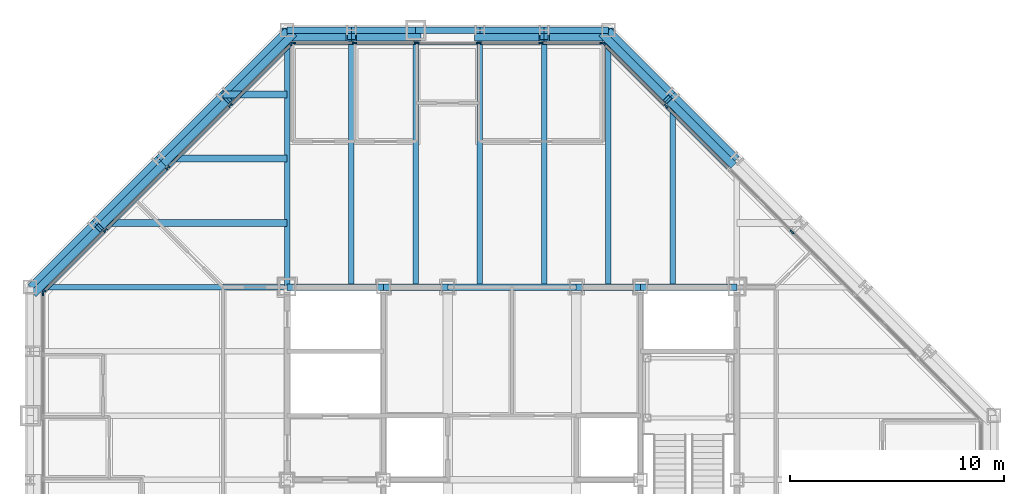
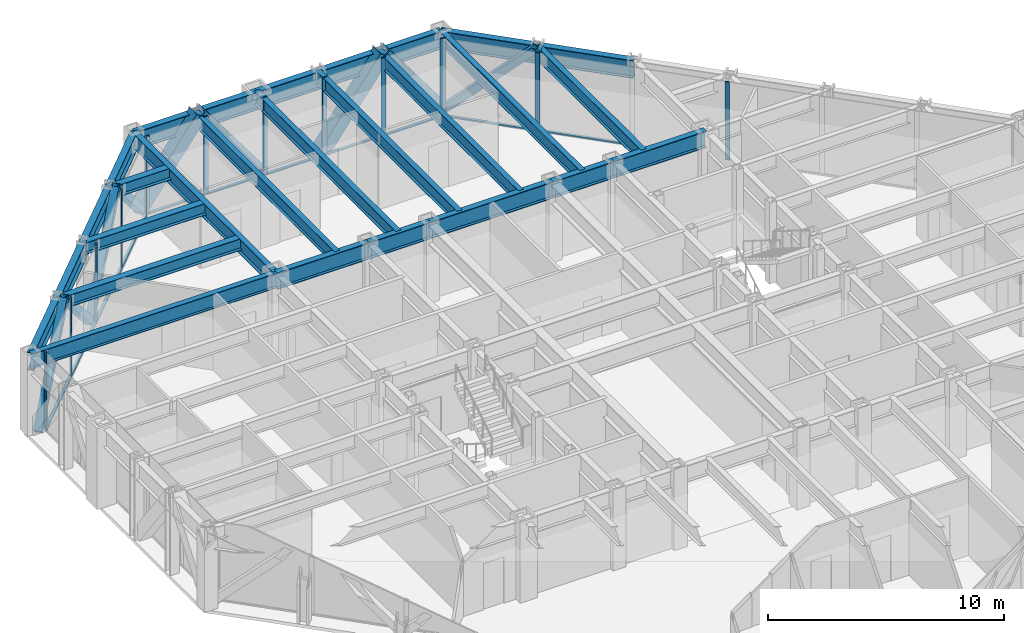
# One storey, part 7 of 15: 36 members, 27 beams, 4 elements without a shape of their own.
"""IFC4 building model written with IfcOpenShell, lengths in metres."""

from ifc_helpers import new_model, si_unit, direction, frame, origin, origin_2d, place, context, subcontext, project, spatial, rectangle, hollow_rectangle, i_section, extrude, material, layer, layer_set, material_profile, profile_set, type_object, element, aggregate, save


model = new_model("IFC4")

# Units and contexts
model_context = context("Model", 3, precision=1e-05, world=origin(), true_north=direction((0.0, 1.0)))
body_context = subcontext(model_context, "Body", "Model", "MODEL_VIEW")
ifc_project = project(units=[si_unit("LENGTHUNIT", "METRE"), si_unit("AREAUNIT", "SQUARE_METRE"), si_unit("VOLUMEUNIT", "CUBIC_METRE"), si_unit("PLANEANGLEUNIT", "RADIAN"), si_unit("MASSUNIT", "GRAM", prefix="KILO")], contexts=[model_context])

# Site, building, storey
site_placement = place(None, origin())
site = spatial("IfcSite", under=ifc_project, at=site_placement, CompositionType="ELEMENT")
building_placement = place(site_placement, origin())
building = spatial("IfcBuilding", under=site, at=building_placement, Name="Chuquiago Exchange Tower", CompositionType="ELEMENT")
storey_placement = place(building_placement, frame((0.0, 0.0, 192.89990234375)))
storey = spatial("IfcBuildingStorey", under=building, at=storey_placement, Name="L42", CompositionType="ELEMENT", Elevation=192.89990234375)

# Beams
ifc_material_1 = material(Name="Steel ASTM A992", Category="steel")
ifc_material_profile_1 = material_profile(ifc_material_1, i_section(OverallWidth=0.25390625, OverallDepth=0.683349609375, WebThickness=0.012451171875, FlangeThickness=0.018798828125, at=origin_2d()), Name="W27X94")
ifc_profile_set_1 = profile_set([ifc_material_profile_1], Name="Steel ASTM A992")
beam_type_1 = type_object("IfcBeamType", Name="B1 W27X94", PredefinedType="BEAM", material=ifc_profile_set_1)
for number, where, z_axis, x_axis, name in (
    (1, (15.0, 33.0, 3.698486328125), (0.0, 1.0, 0.0), (-1.0, 0.0, 0.0), "FB-L43-infill-15_33-15_45-0"),
    (2, (18.0, 33.0, 3.698486328125), (0.0, 1.0, 0.0), (-1.0, 0.0, 0.0), "FB-L43-infill-18_33-18_45-0"),
    (3, (21.0, 33.0, 3.698486328125), (0.0, 1.0, 0.0), (-1.0, 0.0, 0.0), "FB-L43-infill-21_33-21_45-0"),
    (4, (24.0, 33.0, 3.698486328125), (0.0, 1.0, 0.0), (-1.0, 0.0, 0.0), "FB-L43-infill-24_33-24_45-0"),
    (5, (27.0, 33.0, 3.698486328125), (0.0, 1.0, 0.0), (-1.0, 0.0, 0.0), "FB-L43-infill-27_33-27_45-0"),
):
    element("IfcBeam", number, at=place(storey_placement, frame(where, z_axis=z_axis, x_axis=x_axis)), inside=storey, type_object=beam_type_1, Name=name, PredefinedType="BEAM", context=body_context, shape_type="SweptSolid", body=[
        extrude(i_section(OverallWidth=0.25390625, OverallDepth=0.683349609375, WebThickness=0.012451171875, FlangeThickness=0.018798828125, at=origin_2d()), origin(), (0.0, 0.0, 1.0), 12.0),
    ])
beam_1_placement = place(storey_placement, frame((30.0, 33.0, 3.698486328125), z_axis=(0.0, 1.0, 0.0), x_axis=(-1.0, 0.0, 0.0)))
element("IfcBeam", 6, at=beam_1_placement, inside=storey, type_object=beam_type_1, Name="FB-L43-infill-30_33-30_42-0", PredefinedType="BEAM", context=body_context, shape_type="SweptSolid", body=[
    extrude(i_section(OverallWidth=0.25390625, OverallDepth=0.683349609375, WebThickness=0.012451171875, FlangeThickness=0.018798828125, at=origin_2d()), origin(), (0.0, 0.0, 1.0), 9.0),
])
ifc_material_2 = material(Name="Steel ASTM A992", Category="steel")
ifc_material_profile_2 = material_profile(ifc_material_2, i_section(OverallWidth=0.3251953125, OverallDepth=0.612060546875, WebThickness=0.0126953125, FlangeThickness=0.01904296875, at=origin_2d()), Name="W24X104")
ifc_profile_set_2 = profile_set([ifc_material_profile_2], Name="Steel ASTM A992")
beam_type_2 = type_object("IfcBeamType", Name="B2 W24X104", PredefinedType="BEAM", material=ifc_profile_set_2)
beam_2_placement = place(storey_placement, frame((12.0, 36.0, 3.73388671875), z_axis=(-1.0, 0.0, 0.0), x_axis=(0.0, -1.0, 0.0)))
element("IfcBeam", 7, at=beam_2_placement, inside=storey, type_object=beam_type_2, Name="FB-L43-corner-12_36-3_36-0", PredefinedType="BEAM", context=body_context, shape_type="SweptSolid", body=[
    extrude(i_section(OverallWidth=0.3251953125, OverallDepth=0.612060546875, WebThickness=0.0126953125, FlangeThickness=0.01904296875, at=origin_2d()), origin(), (0.0, 0.0, 1.0), 9.0),
])
beam_3_placement = place(storey_placement, frame((12.0, 39.0, 3.73388671875), z_axis=(-1.0, 0.0, 0.0), x_axis=(0.0, -1.0, 0.0)))
element("IfcBeam", 8, at=beam_3_placement, inside=storey, type_object=beam_type_2, Name="FB-L43-corner-12_39-6_39-0", PredefinedType="BEAM", context=body_context, shape_type="SweptSolid", body=[
    extrude(i_section(OverallWidth=0.3251953125, OverallDepth=0.612060546875, WebThickness=0.0126953125, FlangeThickness=0.01904296875, at=origin_2d()), origin(), (0.0, 0.0, 1.0), 6.0),
])
beam_4_placement = place(storey_placement, frame((12.0, 42.0, 3.73388671875), z_axis=(-1.0, 0.0, 0.0), x_axis=(0.0, -1.0, 0.0)))
element("IfcBeam", 9, at=beam_4_placement, inside=storey, type_object=beam_type_2, Name="FB-L43-corner-12_42-9_42-0", PredefinedType="BEAM", context=body_context, shape_type="SweptSolid", body=[
    extrude(i_section(OverallWidth=0.3251953125, OverallDepth=0.612060546875, WebThickness=0.0126953125, FlangeThickness=0.01904296875, at=origin_2d()), origin(), (0.0, 0.0, 1.0), 3.0),
])
ifc_material_3 = material(Name="Steel ASTM A992", Category="steel")
ifc_material_profile_3 = material_profile(ifc_material_3, i_section(OverallWidth=0.2919921875, OverallDepth=0.8583984375, WebThickness=0.01708984375, FlangeThickness=0.031005859375, at=origin_2d()), Name="W33X169")
ifc_profile_set_3 = profile_set([ifc_material_profile_3], Name="Steel ASTM A992")
beam_type_3 = type_object("IfcBeamType", Name="B3 W33X169", PredefinedType="BEAM", material=ifc_profile_set_3)
beam_5_placement = place(storey_placement, frame((12.0, 33.0, 3.61083984375), z_axis=(1.0, 0.0, 0.0), x_axis=(0.0, 1.0, 0.0)))
element("IfcBeam", 10, at=beam_5_placement, inside=storey, type_object=beam_type_3, Name="CB-L43-12_33-16.5_33", PredefinedType="BEAM", context=body_context, shape_type="SweptSolid", body=[
    extrude(i_section(OverallWidth=0.2919921875, OverallDepth=0.8583984375, WebThickness=0.01708984375, FlangeThickness=0.031005859375, at=origin_2d()), origin(), (0.0, 0.0, 1.0), 4.5),
])
beam_6_placement = place(storey_placement, frame((16.5, 33.0, 3.61083984375), z_axis=(1.0, 0.0, 0.0), x_axis=(0.0, 1.0, 0.0)))
element("IfcBeam", 11, at=beam_6_placement, inside=storey, type_object=beam_type_3, Name="CB-L43-16.5_33-19.5_33", PredefinedType="BEAM", context=body_context, shape_type="SweptSolid", body=[
    extrude(i_section(OverallWidth=0.2919921875, OverallDepth=0.8583984375, WebThickness=0.01708984375, FlangeThickness=0.031005859375, at=origin_2d()), origin(), (0.0, 0.0, 1.0), 3.0),
])
beam_7_placement = place(storey_placement, frame((19.5, 33.0, 3.61083984375), z_axis=(1.0, 0.0, 0.0), x_axis=(0.0, 1.0, 0.0)))
element("IfcBeam", 12, at=beam_7_placement, inside=storey, type_object=beam_type_3, Name="CB-L43-19.5_33-25.5_33", PredefinedType="BEAM", context=body_context, shape_type="SweptSolid", body=[
    extrude(i_section(OverallWidth=0.2919921875, OverallDepth=0.8583984375, WebThickness=0.01708984375, FlangeThickness=0.031005859375, at=origin_2d()), origin(), (0.0, 0.0, 1.0), 6.0),
])
beam_8_placement = place(storey_placement, frame((25.5, 33.0, 3.61083984375), z_axis=(1.0, 0.0, 0.0), x_axis=(0.0, 1.0, 0.0)))
element("IfcBeam", 13, at=beam_8_placement, inside=storey, type_object=beam_type_3, Name="CB-L43-25.5_33-28.5_33", PredefinedType="BEAM", context=body_context, shape_type="SweptSolid", body=[
    extrude(i_section(OverallWidth=0.2919921875, OverallDepth=0.8583984375, WebThickness=0.01708984375, FlangeThickness=0.031005859375, at=origin_2d()), origin(), (0.0, 0.0, 1.0), 3.0),
])
beam_9_placement = place(storey_placement, frame((28.5, 33.0, 3.61083984375), z_axis=(1.0, 0.0, 0.0), x_axis=(0.0, 1.0, 0.0)))
element("IfcBeam", 14, at=beam_9_placement, inside=storey, type_object=beam_type_3, Name="CB-L43-28.5_33-33_33", PredefinedType="BEAM", context=body_context, shape_type="SweptSolid", body=[
    extrude(i_section(OverallWidth=0.2919921875, OverallDepth=0.8583984375, WebThickness=0.01708984375, FlangeThickness=0.031005859375, at=origin_2d()), origin(), (0.0, 0.0, 1.0), 4.5),
])

# Curtain wall, members
ifc_material_4 = material(Name="Aluminium curtain wall system", Category="aluminium")
ifc_layer_1 = layer(ifc_material_4, 0.22509765625)
ifc_layer_set_1 = layer_set([ifc_layer_1], Name="CW2 office curtain wall")
curtain_wall_type_1 = type_object("IfcCurtainWallType", Name="CW2 office curtain wall", PredefinedType="NOTDEFINED", material=ifc_layer_set_1)
curtain_wall_1_placement = place(storey_placement, origin())
curtain_wall_1 = element("IfcCurtainWall", 15, at=curtain_wall_1_placement, inside=storey, type_object=curtain_wall_type_1, Name="CW2 curtain wall L42", PredefinedType="NOTDEFINED")
ifc_material_5 = material(Name="Aluminium mullion, pale anodised", Category="aluminium")
ifc_material_profile_4 = material_profile(ifc_material_5, rectangle(XDim=0.06494140625, YDim=0.22509765625, at=origin_2d()), Name="AL 65x225")
ifc_profile_set_4 = profile_set([ifc_material_profile_4], Name="Aluminium mullion, pale anodised")
member_type_1 = type_object("IfcMemberType", Name="CW2-M mullion 65x225", PredefinedType="MULLION", material=ifc_profile_set_4)
member_1_placement = place(storey_placement, frame((26.718994140625, 44.39990234375, 0.0), z_axis=(0.0, 0.0, 1.0), x_axis=(0.0, -1.0, 0.0)))
member_1 = element("IfcMember", 16, at=member_1_placement, type_object=member_type_1, Name="CW2 mullion 1", PredefinedType="MULLION", context=body_context, shape_type="SweptSolid", body=[
    extrude(rectangle(XDim=0.06494140625, YDim=0.22509765625, at=origin_2d()), origin(), (0.0, 0.0, 1.0), 4.0400390625),
])
member_2_placement = place(storey_placement, frame((23.850830078125, 44.39990234375, 0.0), z_axis=(0.0, 0.0, 1.0), x_axis=(0.0, -1.0, 0.0)))
member_2 = element("IfcMember", 17, at=member_2_placement, type_object=member_type_1, Name="CW2 mullion 2", PredefinedType="MULLION", context=body_context, shape_type="SweptSolid", body=[
    extrude(rectangle(XDim=0.06494140625, YDim=0.22509765625, at=origin_2d()), origin(), (0.0, 0.0, 1.0), 4.0400390625),
])
member_3_placement = place(storey_placement, frame((20.9501953125, 44.39990234375, 0.0), z_axis=(0.0, 0.0, 1.0), x_axis=(0.0, -1.0, 0.0)))
member_3 = element("IfcMember", 18, at=member_3_placement, type_object=member_type_1, Name="CW2 mullion 3", PredefinedType="MULLION", context=body_context, shape_type="SweptSolid", body=[
    extrude(rectangle(XDim=0.06494140625, YDim=0.22509765625, at=origin_2d()), origin(), (0.0, 0.0, 1.0), 4.0400390625),
])
member_4_placement = place(storey_placement, frame((18.0498046875, 44.39990234375, 0.0), z_axis=(0.0, 0.0, 1.0), x_axis=(0.0, -1.0, 0.0)))
member_4 = element("IfcMember", 19, at=member_4_placement, type_object=member_type_1, Name="CW2 mullion 4", PredefinedType="MULLION", context=body_context, shape_type="SweptSolid", body=[
    extrude(rectangle(XDim=0.06494140625, YDim=0.22509765625, at=origin_2d()), origin(), (0.0, 0.0, 1.0), 4.0400390625),
])
member_5_placement = place(storey_placement, frame((15.149169921875, 44.39990234375, 0.0), z_axis=(0.0, 0.0, 1.0), x_axis=(0.0, -1.0, 0.0)))
member_5 = element("IfcMember", 20, at=member_5_placement, type_object=member_type_1, Name="CW2 mullion 5", PredefinedType="MULLION", context=body_context, shape_type="SweptSolid", body=[
    extrude(rectangle(XDim=0.06494140625, YDim=0.22509765625, at=origin_2d()), origin(), (0.0, 0.0, 1.0), 4.0400390625),
])
member_6_placement = place(storey_placement, frame((12.281005859375, 44.39990234375, 0.0), z_axis=(0.0, 0.0, 1.0), x_axis=(0.0, -1.0, 0.0)))
member_6 = element("IfcMember", 21, at=member_6_placement, type_object=member_type_1, Name="CW2 mullion 6", PredefinedType="MULLION", context=body_context, shape_type="SweptSolid", body=[
    extrude(rectangle(XDim=0.06494140625, YDim=0.22509765625, at=origin_2d()), origin(), (0.0, 0.0, 1.0), 4.0400390625),
])

# Curtain wall, member
curtain_wall_2_placement = place(storey_placement, origin())
curtain_wall_2 = element("IfcCurtainWall", 22, at=curtain_wall_2_placement, inside=storey, type_object=curtain_wall_type_1, Name="CW2 curtain wall L42", PredefinedType="NOTDEFINED")
member_7_placement = place(storey_placement, frame((0.60009765625, 32.718994140625, 0.0), z_axis=(0.0, 0.0, 1.0), x_axis=(1.0, 0.0, 0.0)))
member_7 = element("IfcMember", 23, at=member_7_placement, type_object=member_type_1, Name="CW2 mullion 1", PredefinedType="MULLION", context=body_context, shape_type="SweptSolid", body=[
    extrude(rectangle(XDim=0.06494140625, YDim=0.22509765625, at=origin_2d()), origin(), (0.0, 0.0, 1.0), 4.0400390625),
])
aggregate(curtain_wall_2, [member_7])

# Member
ifc_material_6 = material(Name="Aluminium transom, pale anodised", Category="aluminium")
ifc_material_profile_5 = material_profile(ifc_material_6, rectangle(XDim=0.139892578125, YDim=0.06494140625, at=origin_2d()), Name="AL 140x65")
ifc_profile_set_5 = profile_set([ifc_material_profile_5], Name="Aluminium transom, pale anodised")
member_type_2 = type_object("IfcMemberType", Name="CW2-T transom 65x140", PredefinedType="MULLION", material=ifc_profile_set_5)
member_8_placement = place(storey_placement, frame((26.6865234375, 44.39990234375, 0.03271484375), z_axis=(-1.0, 0.0, 0.0), x_axis=(0.0, -1.0, 0.0)))
member_8 = element("IfcMember", 24, at=member_8_placement, type_object=member_type_2, Name="CW2 transom 1.1", PredefinedType="MULLION", context=body_context, shape_type="SweptSolid", body=[
    extrude(rectangle(XDim=0.139892578125, YDim=0.06494140625, at=origin_2d()), origin(), (0.0, 0.0, 1.0), 2.80322265625),
])

member_9_placement = place(storey_placement, frame((23.818359375, 44.39990234375, 0.03271484375), z_axis=(-1.0, 0.0, 0.0), x_axis=(0.0, -1.0, 0.0)))
member_9 = element("IfcMember", 25, at=member_9_placement, type_object=member_type_2, Name="CW2 transom 2.1", PredefinedType="MULLION", context=body_context, shape_type="SweptSolid", body=[
    extrude(rectangle(XDim=0.139892578125, YDim=0.06494140625, at=origin_2d()), origin(), (0.0, 0.0, 1.0), 2.83544921875),
])

member_10_placement = place(storey_placement, frame((20.917724609375, 44.39990234375, 0.03271484375), z_axis=(-1.0, 0.0, 0.0), x_axis=(0.0, -1.0, 0.0)))
member_10 = element("IfcMember", 26, at=member_10_placement, type_object=member_type_2, Name="CW2 transom 3.1", PredefinedType="MULLION", context=body_context, shape_type="SweptSolid", body=[
    extrude(rectangle(XDim=0.139892578125, YDim=0.06494140625, at=origin_2d()), origin(), (0.0, 0.0, 1.0), 2.83544921875),
])

member_11_placement = place(storey_placement, frame((18.01708984375, 44.39990234375, 0.03271484375), z_axis=(-1.0, 0.0, 0.0), x_axis=(0.0, -1.0, 0.0)))
member_11 = element("IfcMember", 27, at=member_11_placement, type_object=member_type_2, Name="CW2 transom 4.1", PredefinedType="MULLION", context=body_context, shape_type="SweptSolid", body=[
    extrude(rectangle(XDim=0.139892578125, YDim=0.06494140625, at=origin_2d()), origin(), (0.0, 0.0, 1.0), 2.83544921875),
])

member_12_placement = place(storey_placement, frame((15.11669921875, 44.39990234375, 0.03271484375), z_axis=(-1.0, 0.0, 0.0), x_axis=(0.0, -1.0, 0.0)))
member_12 = element("IfcMember", 28, at=member_12_placement, type_object=member_type_2, Name="CW2 transom 5.1", PredefinedType="MULLION", context=body_context, shape_type="SweptSolid", body=[
    extrude(rectangle(XDim=0.139892578125, YDim=0.06494140625, at=origin_2d()), origin(), (0.0, 0.0, 1.0), 2.80322265625),
])

aggregate(curtain_wall_1, [member_1, member_2, member_3, member_4, member_5, member_6, member_8, member_9, member_10, member_11, member_12])

# Curtain wall, members
ifc_material_7 = material(Name="Aluminium curtain wall system", Category="aluminium")
ifc_layer_2 = layer(ifc_material_7, 0.199951171875)
ifc_layer_set_2 = layer_set([ifc_layer_2], Name="CW3 facet curtain wall")
curtain_wall_type_2 = type_object("IfcCurtainWallType", Name="CW3 facet curtain wall", PredefinedType="NOTDEFINED", material=ifc_layer_set_2)
curtain_wall_3_placement = place(storey_placement, origin())
curtain_wall_3 = element("IfcCurtainWall", 29, at=curtain_wall_3_placement, inside=storey, type_object=curtain_wall_type_2, Name="CW3 curtain wall L42", PredefinedType="NOTDEFINED")
ifc_material_8 = material(Name="Aluminium mullion, pale anodised", Category="aluminium")
ifc_material_profile_6 = material_profile(ifc_material_8, rectangle(XDim=0.06494140625, YDim=0.199951171875, at=origin_2d()), Name="AL 65x200")
ifc_profile_set_6 = profile_set([ifc_material_profile_6], Name="Aluminium mullion, pale anodised")
member_type_3 = type_object("IfcMemberType", Name="CW3-M mullion 65x200", PredefinedType="MULLION", material=ifc_profile_set_6)
member_13_placement = place(storey_placement, frame((35.57568359375, 35.57568359375, 0.0), z_axis=(0.0, 0.0, 1.0), x_axis=(-0.707106781187, -0.707106781187, 0.0)))
member_13 = element("IfcMember", 30, at=member_13_placement, type_object=member_type_3, Name="CW3 mullion 4", PredefinedType="MULLION", context=body_context, shape_type="SweptSolid", body=[
    extrude(rectangle(XDim=0.06494140625, YDim=0.199951171875, at=origin_2d()), origin(), (0.0, 0.0, 1.0), 4.0400390625),
])
member_14_placement = place(storey_placement, frame((29.69287109375, 41.45849609375, 0.0), z_axis=(0.0, 0.0, 1.0), x_axis=(-0.707106781187, -0.707106781187, 0.0)))
member_14 = element("IfcMember", 31, at=member_14_placement, type_object=member_type_3, Name="CW3 mullion 6", PredefinedType="MULLION", context=body_context, shape_type="SweptSolid", body=[
    extrude(rectangle(XDim=0.06494140625, YDim=0.199951171875, at=origin_2d()), origin(), (0.0, 0.0, 1.0), 4.0400390625),
])
member_15_placement = place(storey_placement, frame((26.7744140625, 44.376953125, 0.0), z_axis=(0.0, 0.0, 1.0), x_axis=(-0.707106781187, -0.707106781187, 0.0)))
member_15 = element("IfcMember", 32, at=member_15_placement, type_object=member_type_3, Name="CW3 mullion 7", PredefinedType="MULLION", context=body_context, shape_type="SweptSolid", body=[
    extrude(rectangle(XDim=0.06494140625, YDim=0.199951171875, at=origin_2d()), origin(), (0.0, 0.0, 1.0), 4.0400390625),
])

curtain_wall_4_placement = place(storey_placement, origin())
curtain_wall_4 = element("IfcCurtainWall", 33, at=curtain_wall_4_placement, inside=storey, type_object=curtain_wall_type_2, Name="CW3 curtain wall L42", PredefinedType="NOTDEFINED")
member_16_placement = place(storey_placement, frame((12.2255859375, 44.376953125, 0.0), z_axis=(0.0, 0.0, 1.0), x_axis=(0.707106781187, -0.707106781187, 0.0)))
member_16 = element("IfcMember", 34, at=member_16_placement, type_object=member_type_3, Name="CW3 mullion 1", PredefinedType="MULLION", context=body_context, shape_type="SweptSolid", body=[
    extrude(rectangle(XDim=0.06494140625, YDim=0.199951171875, at=origin_2d()), origin(), (0.0, 0.0, 1.0), 4.0400390625),
])
member_17_placement = place(storey_placement, frame((9.33642578125, 41.48779296875, 0.0), z_axis=(0.0, 0.0, 1.0), x_axis=(0.707106781187, -0.707106781187, 0.0)))
member_17 = element("IfcMember", 35, at=member_17_placement, type_object=member_type_3, Name="CW3 mullion 2", PredefinedType="MULLION", context=body_context, shape_type="SweptSolid", body=[
    extrude(rectangle(XDim=0.06494140625, YDim=0.199951171875, at=origin_2d()), origin(), (0.0, 0.0, 1.0), 4.0400390625),
])
member_18_placement = place(storey_placement, frame((6.42431640625, 38.57568359375, 0.0), z_axis=(0.0, 0.0, 1.0), x_axis=(0.707106781187, -0.707106781187, 0.0)))
member_18 = element("IfcMember", 36, at=member_18_placement, type_object=member_type_3, Name="CW3 mullion 3", PredefinedType="MULLION", context=body_context, shape_type="SweptSolid", body=[
    extrude(rectangle(XDim=0.06494140625, YDim=0.199951171875, at=origin_2d()), origin(), (0.0, 0.0, 1.0), 4.0400390625),
])
member_19_placement = place(storey_placement, frame((3.51220703125, 35.66357421875, 0.0), z_axis=(0.0, 0.0, 1.0), x_axis=(0.707106781187, -0.707106781187, 0.0)))
member_19 = element("IfcMember", 37, at=member_19_placement, type_object=member_type_3, Name="CW3 mullion 4", PredefinedType="MULLION", context=body_context, shape_type="SweptSolid", body=[
    extrude(rectangle(XDim=0.06494140625, YDim=0.199951171875, at=origin_2d()), origin(), (0.0, 0.0, 1.0), 4.0400390625),
])
member_20_placement = place(storey_placement, frame((0.623046875, 32.7744140625, 0.0), z_axis=(0.0, 0.0, 1.0), x_axis=(0.707106781187, -0.707106781187, 0.0)))
member_20 = element("IfcMember", 38, at=member_20_placement, type_object=member_type_3, Name="CW3 mullion 5", PredefinedType="MULLION", context=body_context, shape_type="SweptSolid", body=[
    extrude(rectangle(XDim=0.06494140625, YDim=0.199951171875, at=origin_2d()), origin(), (0.0, 0.0, 1.0), 4.0400390625),
])

# Member
ifc_material_9 = material(Name="Aluminium transom, pale anodised", Category="aluminium")
ifc_material_profile_7 = material_profile(ifc_material_9, rectangle(XDim=0.139892578125, YDim=0.06494140625, at=origin_2d()), Name="AL 140x65")
ifc_profile_set_7 = profile_set([ifc_material_profile_7], Name="Aluminium transom, pale anodised")
member_type_4 = type_object("IfcMemberType", Name="CW3-T transom 65x140", PredefinedType="MULLION", material=ifc_profile_set_7)
member_21_placement = place(storey_placement, frame((32.611328125, 38.5400390625, 0.03271484375), z_axis=(-0.707106781187, 0.707106781187, 0.0), x_axis=(-0.707106781187, -0.707106781187, 0.0)))
member_21 = element("IfcMember", 39, at=member_21_placement, type_object=member_type_4, Name="CW3 transom 5.1", PredefinedType="MULLION", context=body_context, shape_type="SweptSolid", body=[
    extrude(rectangle(XDim=0.139892578125, YDim=0.06494140625, at=origin_2d()), origin(), (0.0, 0.0, 1.0), 4.094970703125),
])

member_22_placement = place(storey_placement, frame((29.669921875, 41.4814453125, 0.03271484375), z_axis=(-0.707106781187, 0.707106781187, 0.0), x_axis=(-0.707106781187, -0.707106781187, 0.0)))
member_22 = element("IfcMember", 40, at=member_22_placement, type_object=member_type_4, Name="CW3 transom 6.1", PredefinedType="MULLION", context=body_context, shape_type="SweptSolid", body=[
    extrude(rectangle(XDim=0.139892578125, YDim=0.06494140625, at=origin_2d()), origin(), (0.0, 0.0, 1.0), 4.0625),
])

aggregate(curtain_wall_3, [member_13, member_14, member_15, member_21, member_22])

member_23_placement = place(storey_placement, frame((12.20263671875, 44.35400390625, 0.03271484375), z_axis=(-0.707106781187, -0.707106781187, 0.0), x_axis=(0.707106781187, -0.707106781187, 0.0)))
member_23 = element("IfcMember", 41, at=member_23_placement, type_object=member_type_4, Name="CW3 transom 1.1", PredefinedType="MULLION", context=body_context, shape_type="SweptSolid", body=[
    extrude(rectangle(XDim=0.139892578125, YDim=0.06494140625, at=origin_2d()), origin(), (0.0, 0.0, 1.0), 4.02099609375),
])

member_24_placement = place(storey_placement, frame((9.3134765625, 41.46484375, 0.03271484375), z_axis=(-0.707106781187, -0.707106781187, 0.0), x_axis=(0.707106781187, -0.707106781187, 0.0)))
member_24 = element("IfcMember", 42, at=member_24_placement, type_object=member_type_4, Name="CW3 transom 2.1", PredefinedType="MULLION", context=body_context, shape_type="SweptSolid", body=[
    extrude(rectangle(XDim=0.139892578125, YDim=0.06494140625, at=origin_2d()), origin(), (0.0, 0.0, 1.0), 4.053466796875),
])

member_25_placement = place(storey_placement, frame((6.4013671875, 38.552734375, 0.03271484375), z_axis=(-0.707106781187, -0.707106781187, 0.0), x_axis=(0.707106781187, -0.707106781187, 0.0)))
member_25 = element("IfcMember", 43, at=member_25_placement, type_object=member_type_4, Name="CW3 transom 3.1", PredefinedType="MULLION", context=body_context, shape_type="SweptSolid", body=[
    extrude(rectangle(XDim=0.139892578125, YDim=0.06494140625, at=origin_2d()), origin(), (0.0, 0.0, 1.0), 4.053466796875),
])

member_26_placement = place(storey_placement, frame((3.4892578125, 35.640625, 0.03271484375), z_axis=(-0.707106781187, -0.707106781187, 0.0), x_axis=(0.707106781187, -0.707106781187, 0.0)))
member_26 = element("IfcMember", 44, at=member_26_placement, type_object=member_type_4, Name="CW3 transom 4.1", PredefinedType="MULLION", context=body_context, shape_type="SweptSolid", body=[
    extrude(rectangle(XDim=0.139892578125, YDim=0.06494140625, at=origin_2d()), origin(), (0.0, 0.0, 1.0), 4.02099609375),
])

aggregate(curtain_wall_4, [member_16, member_17, member_18, member_19, member_20, member_23, member_24, member_25, member_26])

# Beams
ifc_material_10 = material(Name="Steel ASTM A992", Category="steel")
ifc_material_profile_8 = material_profile(ifc_material_10, i_section(OverallWidth=0.2666015625, OverallDepth=0.76953125, WebThickness=0.015625, FlangeThickness=0.025390625, at=origin_2d()), Name="W30X132")
ifc_profile_set_8 = profile_set([ifc_material_profile_8], Name="Steel ASTM A992")
beam_type_4 = type_object("IfcBeamType", Name="G1 W30X132", PredefinedType="BEAM", material=ifc_profile_set_8)
for number, where, z_axis, x_axis, name in (
    (45, (12.0, 33.0, 3.6552734375), (0.0, 1.0, 0.0), (-1.0, 0.0, 0.0), "FB-L43-girder-12_33-12_45-0"),
    (46, (12.0, 33.0, 3.6552734375), (-1.0, 0.0, 0.0), (0.0, -1.0, 0.0), "FB-L43-girder-12_33--0_33-0"),
):
    element("IfcBeam", number, at=place(storey_placement, frame(where, z_axis=z_axis, x_axis=x_axis)), inside=storey, type_object=beam_type_4, Name=name, PredefinedType="BEAM", context=body_context, shape_type="SweptSolid", body=[
        extrude(i_section(OverallWidth=0.2666015625, OverallDepth=0.76953125, WebThickness=0.015625, FlangeThickness=0.025390625, at=origin_2d()), origin(), (0.0, 0.0, 1.0), 12.0),
    ])

# Members
ifc_material_11 = material(Name="Steel ASTM A500 Grade C", Category="steel")
ifc_material_profile_9 = material_profile(ifc_material_11, hollow_rectangle(XDim=0.355712890625, YDim=0.355712890625, WallThickness=0.0146484375, at=origin_2d()), Name="HSS14X14X5/8")
ifc_profile_set_9 = profile_set([ifc_material_profile_9], Name="Steel ASTM A500 Grade C")
member_type_5 = type_object("IfcMemberType", Name="LB2 HSS14X14X5/8", PredefinedType="BRACE", material=ifc_profile_set_9)
for number, where, z_axis, x_axis, name in (
    (47, (32.7685546875, 38.7685546875, 0.0), (-0.512077265487, 0.512077265487, 0.689604051861), (-0.707106781187, -0.707106781187, 0.0), "LB-L42-33_39-30_42"),
    (48, (26.7685546875, 44.7685546875, 0.0), (0.512077265487, -0.512077265487, 0.689604051861), (0.707106781187, 0.707106781187, 0.0), "LB-L42-30_42-27_45"),
    (49, (12.2314453125, 44.7685546875, 0.0), (-0.512077265487, -0.512077265487, 0.689604051861), (0.707106781187, -0.707106781187, 0.0), "LB-L42-12_45-9_42"),
    (50, (6.2314453125, 38.7685546875, 0.0), (0.512077265487, 0.512077265487, 0.689604051861), (-0.707106781187, 0.707106781187, 0.0), "LB-L42-9_42-6_39"),
    (51, (6.2314453125, 38.7685546875, 0.0), (-0.512077265487, -0.512077265487, 0.689604051861), (0.707106781187, -0.707106781187, 0.0), "LB-L42-6_39-3_36"),
    (52, (0.2314453125, 32.7685546875, 0.0), (0.512077265487, 0.512077265487, 0.689604051861), (-0.707106781187, 0.707106781187, 0.0), "LB-L42-3_36-0_33"),
):
    element("IfcMember", number, at=place(storey_placement, frame(where, z_axis=z_axis, x_axis=x_axis)), inside=storey, type_object=member_type_5, Name=name, PredefinedType="BRACE", context=body_context, shape_type="SweptSolid", body=[
        extrude(hollow_rectangle(XDim=0.355712890625, YDim=0.355712890625, WallThickness=0.0146484375, at=origin_2d()), origin(), (0.0, 0.0, 1.0), 5.8583984375),
    ])
ifc_material_12 = material(Name="Steel ASTM A572 Grade 50", Category="steel")
ifc_material_profile_10 = material_profile(ifc_material_12, hollow_rectangle(XDim=0.60009765625, YDim=0.60009765625, WallThickness=0.06005859375, at=origin_2d()), Name="BOX600X600X60")
ifc_profile_set_10 = profile_set([ifc_material_profile_10], Name="Steel ASTM A572 Grade 50")
member_type_6 = type_object("IfcMemberType", Name="MB3 BOX600X600X60", PredefinedType="BRACE", material=ifc_profile_set_10)
for number, where, z_axis, x_axis, name in (
    (53, (27.0, 44.794921875, 0.0), (-0.596173923302, 0.0, 0.802855312728), (0.0, -1.0, 0.0), "Mega diagonal L42 N face"),
    (54, (21.0, 44.794921875, 0.0), (0.596173923302, 0.0, 0.802855312728), (0.0, 1.0, 0.0), "Mega diagonal L42 N face"),
    (55, (18.0, 44.794921875, 0.0), (-0.596173923302, 0.0, 0.802855312728), (0.0, -1.0, 0.0), "Mega diagonal L42 N face"),
    (56, (12.0, 44.794921875, 0.0), (0.596173923302, 0.0, 0.802855312728), (0.0, 1.0, 0.0), "Mega diagonal L42 N face"),
):
    element("IfcMember", number, at=place(storey_placement, frame(where, z_axis=z_axis, x_axis=x_axis)), inside=storey, type_object=member_type_6, Name=name, PredefinedType="BRACE", context=body_context, shape_type="SweptSolid", body=[
        extrude(hollow_rectangle(XDim=0.60009765625, YDim=0.60009765625, WallThickness=0.06005859375, at=origin_2d()), origin(), (0.0, 0.0, 1.0), 5.031982421875),
    ])

# Beams
ifc_material_13 = material(Name="Steel ASTM A992", Category="steel")
ifc_material_profile_11 = material_profile(ifc_material_13, i_section(OverallWidth=0.307373046875, OverallDepth=0.927001953125, WebThickness=0.01953125, FlangeThickness=0.031982421875, at=origin_2d()), Name="W36X194")
ifc_profile_set_11 = profile_set([ifc_material_profile_11], Name="Steel ASTM A992")
beam_type_5 = type_object("IfcBeamType", Name="SP3 W36X194", PredefinedType="SPANDREL", material=ifc_profile_set_11)
for number, where, z_axis, x_axis, name in (
    (57, (33.0, 39.0, 3.576416015625), (-0.707106781187, 0.707106781187, 0.0), (-0.707106781187, -0.707106781187, 0.0), "SPB-L43-33_39-30_42"),
    (58, (30.0, 42.0, 3.576416015625), (-0.707106781187, 0.707106781187, 0.0), (-0.707106781187, -0.707106781187, 0.0), "SPB-L43-30_42-27_45"),
):
    element("IfcBeam", number, at=place(storey_placement, frame(where, z_axis=z_axis, x_axis=x_axis)), inside=storey, type_object=beam_type_5, Name=name, PredefinedType="SPANDREL", context=body_context, shape_type="SweptSolid", body=[
        extrude(i_section(OverallWidth=0.307373046875, OverallDepth=0.927001953125, WebThickness=0.01953125, FlangeThickness=0.031982421875, at=origin_2d()), origin(), (0.0, 0.0, 1.0), 4.24267578125),
    ])
for number, where, z_axis, x_axis, name in (
    (59, (27.0, 45.0, 3.576416015625), (-1.0, 0.0, 0.0), (0.0, -1.0, 0.0), "SPB-L43-27_45-24_45"),
    (60, (24.0, 45.0, 3.576416015625), (-1.0, 0.0, 0.0), (0.0, -1.0, 0.0), "SPB-L43-24_45-21_45"),
    (61, (21.0, 45.0, 3.576416015625), (-1.0, 0.0, 0.0), (0.0, -1.0, 0.0), "SPB-L43-21_45-18_45"),
    (62, (18.0, 45.0, 3.576416015625), (-1.0, 0.0, 0.0), (0.0, -1.0, 0.0), "SPB-L43-18_45-15_45"),
    (63, (15.0, 45.0, 3.576416015625), (-1.0, 0.0, 0.0), (0.0, -1.0, 0.0), "SPB-L43-15_45-12_45"),
):
    element("IfcBeam", number, at=place(storey_placement, frame(where, z_axis=z_axis, x_axis=x_axis)), inside=storey, type_object=beam_type_5, Name=name, PredefinedType="SPANDREL", context=body_context, shape_type="SweptSolid", body=[
        extrude(i_section(OverallWidth=0.307373046875, OverallDepth=0.927001953125, WebThickness=0.01953125, FlangeThickness=0.031982421875, at=origin_2d()), origin(), (0.0, 0.0, 1.0), 3.0),
    ])
for number, where, z_axis, x_axis, name in (
    (64, (12.0, 45.0, 3.576416015625), (-0.707106781187, -0.707106781187, 0.0), (0.707106781187, -0.707106781187, 0.0), "SPB-L43-12_45-9_42"),
    (65, (9.0, 42.0, 3.576416015625), (-0.707106781187, -0.707106781187, 0.0), (0.707106781187, -0.707106781187, 0.0), "SPB-L43-9_42-6_39"),
    (66, (6.0, 39.0, 3.576416015625), (-0.707106781187, -0.707106781187, 0.0), (0.707106781187, -0.707106781187, 0.0), "SPB-L43-6_39-3_36"),
    (67, (3.0, 36.0, 3.576416015625), (-0.707106781187, -0.707106781187, 0.0), (0.707106781187, -0.707106781187, 0.0), "SPB-L43-3_36-0_33"),
):
    element("IfcBeam", number, at=place(storey_placement, frame(where, z_axis=z_axis, x_axis=x_axis)), inside=storey, type_object=beam_type_5, Name=name, PredefinedType="SPANDREL", context=body_context, shape_type="SweptSolid", body=[
        extrude(i_section(OverallWidth=0.307373046875, OverallDepth=0.927001953125, WebThickness=0.01953125, FlangeThickness=0.031982421875, at=origin_2d()), origin(), (0.0, 0.0, 1.0), 4.24267578125),
    ])

save(model, "model.ifc")
